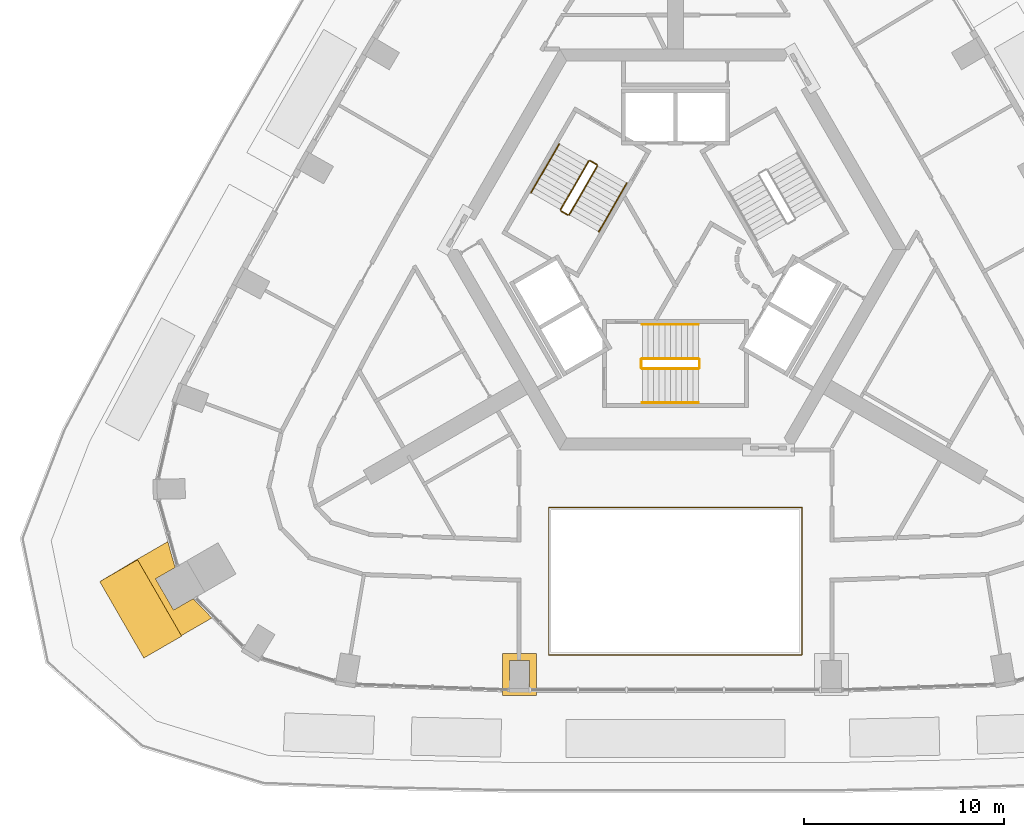
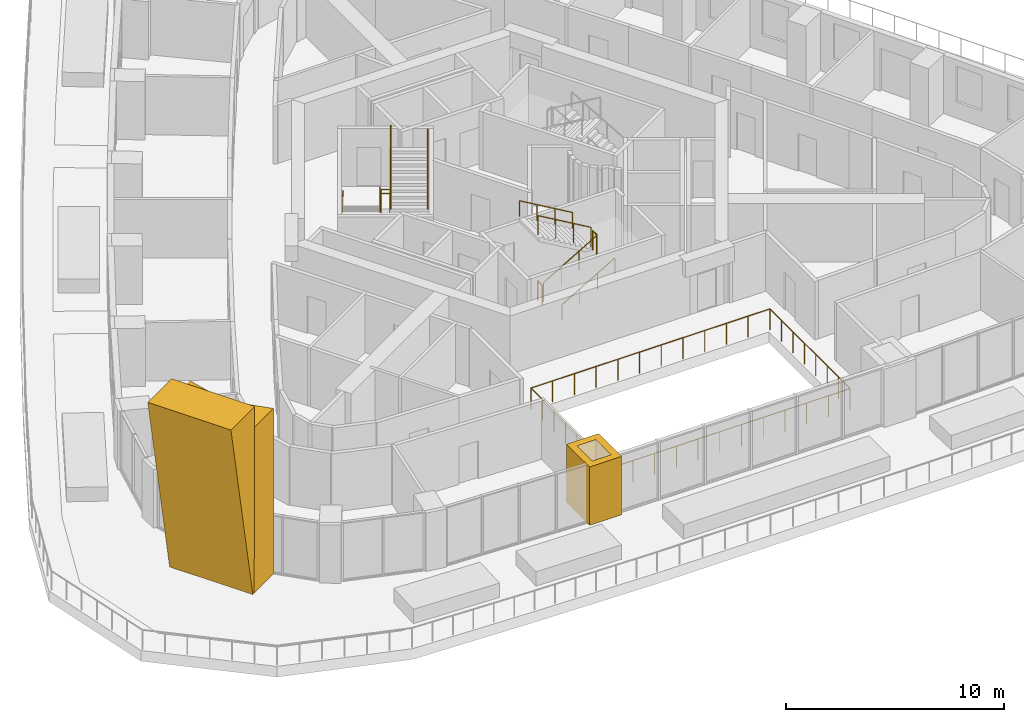
# One storey, part 11 of 14: 13 railings, 3 coverings.
"""IFC4 building model written with IfcOpenShell, lengths in metres."""

from ifc_helpers import new_model, si_unit, direction, frame, origin, origin_2d, place, context, subcontext, project, spatial, polyline, circle, outline, extrude, material, type_object, element, save


model = new_model("IFC4")

# Units and contexts
model_context = context("Model", 3, precision=1e-05, world=origin(), true_north=direction((0.0, 1.0)))
body_context = subcontext(model_context, "Body", "Model", "MODEL_VIEW")
ifc_project = project(units=[si_unit("LENGTHUNIT", "METRE"), si_unit("AREAUNIT", "SQUARE_METRE"), si_unit("VOLUMEUNIT", "CUBIC_METRE"), si_unit("PLANEANGLEUNIT", "RADIAN"), si_unit("MASSUNIT", "GRAM", prefix="KILO")], contexts=[model_context])

# Site, building, storey
site_placement = place(None, origin())
site = spatial("IfcSite", under=ifc_project, at=site_placement, CompositionType="ELEMENT")
building_placement = place(site_placement, origin())
building = spatial("IfcBuilding", under=site, at=building_placement, Name="Entoto Arch Interchange Tower", CompositionType="ELEMENT")
storey_placement = place(building_placement, frame((0.0, 0.0, 241.39990234375)))
storey = spatial("IfcBuildingStorey", under=building, at=storey_placement, Name="L54", CompositionType="ELEMENT", Elevation=241.39990234375)

# Railing
ifc_material_1 = material(Name="Stainless steel 1.4301", Category="steel")
railing_type_1 = type_object("IfcRailingType", Name="ATRIUM GUARD 1200 STEEL AND GLASS", PredefinedType="GUARDRAIL", material=ifc_material_1)
railing_1_placement = place(storey_placement, frame((6.320068359375, -17.72802734375, 0.0)))
element("IfcRailing", 1, at=railing_1_placement, inside=storey, type_object=railing_type_1, Name="Atrium guard L54", PredefinedType="GUARDRAIL", context=body_context, shape_type="SweptSolid", body=[
    extrude(circle(Radius=0.02392578125, at=origin_2d()), frame((0.0, 0.0, 1.17578125), z_axis=(-1.0, 0.0, 0.0), x_axis=(0.0, -1.0, 0.0)), (0.0, 0.0, 1.0), 12.64013671875),
    extrude(circle(Radius=0.02392578125, at=origin_2d()), frame((-12.64013671875, 0.0, 1.17578125), z_axis=(0.0, 1.0, 0.0), x_axis=(-1.0, 0.0, 0.0)), (0.0, 0.0, 1.0), 7.34814453125),
    extrude(circle(Radius=0.02392578125, at=origin_2d()), frame((-12.64013671875, 7.34814453125, 1.17578125), z_axis=(1.0, 0.0, 0.0), x_axis=(0.0, 1.0, 0.0)), (0.0, 0.0, 1.0), 12.64013671875),
    extrude(circle(Radius=0.02392578125, at=origin_2d()), frame((0.0, 7.34814453125, 1.17578125), z_axis=(0.0, -1.0, 0.0), x_axis=(1.0, 0.0, 0.0)), (0.0, 0.0, 1.0), 7.34814453125),
    extrude(circle(Radius=0.02099609375, at=origin_2d()), origin(), (0.0, 0.0, 1.0), 1.15185546875),
    extrude(circle(Radius=0.02099609375, at=origin_2d()), frame((-1.149169921875, 0.0, 0.0)), (0.0, 0.0, 1.0), 1.15185546875),
    extrude(circle(Radius=0.02099609375, at=origin_2d()), frame((-2.298095703125, 0.0, 0.0)), (0.0, 0.0, 1.0), 1.15185546875),
    extrude(circle(Radius=0.02099609375, at=origin_2d()), frame((-3.447265625, 0.0, 0.0)), (0.0, 0.0, 1.0), 1.15185546875),
    extrude(circle(Radius=0.02099609375, at=origin_2d()), frame((-4.596435546875, 0.0, 0.0)), (0.0, 0.0, 1.0), 1.15185546875),
    extrude(circle(Radius=0.02099609375, at=origin_2d()), frame((-5.74560546875, 0.0, 0.0)), (0.0, 0.0, 1.0), 1.15185546875),
    extrude(circle(Radius=0.02099609375, at=origin_2d()), frame((-6.89453125, 0.0, 0.0)), (0.0, 0.0, 1.0), 1.15185546875),
    extrude(circle(Radius=0.02099609375, at=origin_2d()), frame((-8.043701171875, 0.0, 0.0)), (0.0, 0.0, 1.0), 1.15185546875),
    extrude(circle(Radius=0.02099609375, at=origin_2d()), frame((-9.19287109375, 0.0, 0.0)), (0.0, 0.0, 1.0), 1.15185546875),
    extrude(circle(Radius=0.02099609375, at=origin_2d()), frame((-10.342041015625, 0.0, 0.0)), (0.0, 0.0, 1.0), 1.15185546875),
    extrude(circle(Radius=0.02099609375, at=origin_2d()), frame((-11.490966796875, 0.0, 0.0)), (0.0, 0.0, 1.0), 1.15185546875),
    extrude(circle(Radius=0.02099609375, at=origin_2d()), frame((-12.64013671875, 0.0, 0.0)), (0.0, 0.0, 1.0), 1.15185546875),
    extrude(circle(Radius=0.02099609375, at=origin_2d()), frame((-12.64013671875, 1.0498046875, 0.0)), (0.0, 0.0, 1.0), 1.15185546875),
    extrude(circle(Radius=0.02099609375, at=origin_2d()), frame((-12.64013671875, 2.099365234375, 0.0)), (0.0, 0.0, 1.0), 1.15185546875),
    extrude(circle(Radius=0.02099609375, at=origin_2d()), frame((-12.64013671875, 3.149169921875, 0.0)), (0.0, 0.0, 1.0), 1.15185546875),
    extrude(circle(Radius=0.02099609375, at=origin_2d()), frame((-12.64013671875, 4.198974609375, 0.0)), (0.0, 0.0, 1.0), 1.15185546875),
    extrude(circle(Radius=0.02099609375, at=origin_2d()), frame((-12.64013671875, 5.248779296875, 0.0)), (0.0, 0.0, 1.0), 1.15185546875),
    extrude(circle(Radius=0.02099609375, at=origin_2d()), frame((-12.64013671875, 6.29833984375, 0.0)), (0.0, 0.0, 1.0), 1.15185546875),
    extrude(circle(Radius=0.02099609375, at=origin_2d()), frame((-12.64013671875, 7.34814453125, 0.0)), (0.0, 0.0, 1.0), 1.15185546875),
    extrude(circle(Radius=0.02099609375, at=origin_2d()), frame((-11.490966796875, 7.34814453125, 0.0)), (0.0, 0.0, 1.0), 1.15185546875),
    extrude(circle(Radius=0.02099609375, at=origin_2d()), frame((-10.342041015625, 7.34814453125, 0.0)), (0.0, 0.0, 1.0), 1.15185546875),
    extrude(circle(Radius=0.02099609375, at=origin_2d()), frame((-9.19287109375, 7.34814453125, 0.0)), (0.0, 0.0, 1.0), 1.15185546875),
    extrude(circle(Radius=0.02099609375, at=origin_2d()), frame((-8.043701171875, 7.34814453125, 0.0)), (0.0, 0.0, 1.0), 1.15185546875),
    extrude(circle(Radius=0.02099609375, at=origin_2d()), frame((-6.89453125, 7.34814453125, 0.0)), (0.0, 0.0, 1.0), 1.15185546875),
    extrude(circle(Radius=0.02099609375, at=origin_2d()), frame((-5.74560546875, 7.34814453125, 0.0)), (0.0, 0.0, 1.0), 1.15185546875),
    extrude(circle(Radius=0.02099609375, at=origin_2d()), frame((-4.596435546875, 7.34814453125, 0.0)), (0.0, 0.0, 1.0), 1.15185546875),
    extrude(circle(Radius=0.02099609375, at=origin_2d()), frame((-3.447265625, 7.34814453125, 0.0)), (0.0, 0.0, 1.0), 1.15185546875),
    extrude(circle(Radius=0.02099609375, at=origin_2d()), frame((-2.298095703125, 7.34814453125, 0.0)), (0.0, 0.0, 1.0), 1.15185546875),
    extrude(circle(Radius=0.02099609375, at=origin_2d()), frame((-1.149169921875, 7.34814453125, 0.0)), (0.0, 0.0, 1.0), 1.15185546875),
    extrude(circle(Radius=0.02099609375, at=origin_2d()), frame((0.0, 7.34814453125, 0.0)), (0.0, 0.0, 1.0), 1.15185546875),
    extrude(circle(Radius=0.02099609375, at=origin_2d()), frame((0.0, 6.29833984375, 0.0)), (0.0, 0.0, 1.0), 1.15185546875),
    extrude(circle(Radius=0.02099609375, at=origin_2d()), frame((0.0, 5.248779296875, 0.0)), (0.0, 0.0, 1.0), 1.15185546875),
    extrude(circle(Radius=0.02099609375, at=origin_2d()), frame((0.0, 4.198974609375, 0.0)), (0.0, 0.0, 1.0), 1.15185546875),
    extrude(circle(Radius=0.02099609375, at=origin_2d()), frame((0.0, 3.149169921875, 0.0)), (0.0, 0.0, 1.0), 1.15185546875),
    extrude(circle(Radius=0.02099609375, at=origin_2d()), frame((0.0, 2.099365234375, 0.0)), (0.0, 0.0, 1.0), 1.15185546875),
    extrude(circle(Radius=0.02099609375, at=origin_2d()), frame((0.0, 1.0498046875, 0.0)), (0.0, 0.0, 1.0), 1.15185546875),
])

# Coverings
ifc_material_2 = material(Name="Board-marked precast concrete C50/60", Category="concrete")
covering_type = type_object("IfcCoveringType", Name="PRECAST FRAME COURSE", PredefinedType="CLADDING", material=ifc_material_2)
covering_1_placement = place(storey_placement, origin())
element("IfcCovering", 2, at=covering_1_placement, inside=storey, type_object=covering_type, Name="Corner pilaster SW L54-L56", PredefinedType="CLADDING", context=body_context, shape_type="SweptSolid", body=[
    extrude(outline(polyline([(-24.64599609375, -16.77001953125), (-26.845947265625, -12.9599609375), (-25.322021484375, -12.080078125), (-24.9580078125, -13.37109375), (-25.93603515625, -13.93603515625), (-25.035888671875, -15.493896484375), (-24.05810546875, -14.929931640625), (-23.1220703125, -15.889892578125), (-24.64599609375, -16.77001953125)])), origin(), (0.0, 0.0, 1.0), 9.260009765625),
])
covering_2_placement = place(storey_placement, frame((-26.845947265625, -12.9599609375, 0.0), z_axis=(-0.499864400986, 0.866098527187, 0.002986943602), x_axis=(-0.866102403124, -0.499866609441, -8.270342e-06)))
element("IfcCovering", 3, at=covering_2_placement, inside=storey, type_object=covering_type, Name="Corner rib SW L54-L56", PredefinedType="CLADDING", context=body_context, shape_type="SweptSolid", body=[
    extrude(outline(polyline([(0.0, 0.0), (0.11876536464920533, 0.0), (2.1783068228754745, 10.460269756314256), (0.0005611826797936319, 10.460250763298218), (0.0, 0.0)])), origin(), (0.0, 0.0, -1.0), 4.39990234375),
])
covering_3_placement = place(storey_placement, origin())
element("IfcCovering", 4, at=covering_3_placement, inside=storey, type_object=covering_type, Name="Gate pier L54", PredefinedType="CLADDING", context=body_context, shape_type="SweptSolid", body=[
    extrude(outline(polyline([(-8.634033203125, -17.657958984375), (-6.93408203125, -17.657958984375), (-6.93408203125, -19.758056640625), (-8.634033203125, -19.758056640625), (-8.634033203125, -17.657958984375)]), holes=[polyline([(-8.283935546875, -18.008056640625), (-8.283935546875, -19.407958984375), (-7.283935546875, -19.407958984375), (-7.283935546875, -18.008056640625), (-8.283935546875, -18.008056640625)])]), origin(), (0.0, 0.0, 1.0), 3.260009765625),
])

# Railings
railing_type_2 = type_object("IfcRailingType", Name="STAIR GUARD 1100 STEEL", PredefinedType="GUARDRAIL", material=ifc_material_1)
railing_2_placement = place(storey_placement, frame((-1.64990234375, -3.449951171875, 0.163818359375)))
element("IfcRailing", 5, at=railing_2_placement, inside=storey, type_object=railing_type_2, Name="L54 ST-S stair guard 1", PredefinedType="GUARDRAIL", context=body_context, shape_type="SweptSolid", body=[
    extrude(circle(Radius=0.02392578125, at=origin_2d()), frame((0.0, 0.0, 1.076171875), z_axis=(0.863374499697, 0.0, 0.504563646405), x_axis=(0.0, 1.0, 0.0)), (0.0, 0.0, 1.0), 3.242919921875),
    extrude(circle(Radius=0.02099609375, at=origin_2d()), origin(), (0.0, 0.0, 1.0), 1.052001953125),
    extrude(circle(Radius=0.02099609375, at=origin_2d()), frame((0.933349609375, 0.0, 0.54541015625)), (0.0, 0.0, 1.0), 1.052001953125),
    extrude(circle(Radius=0.02099609375, at=origin_2d()), frame((1.866455078125, 0.0, 1.0908203125)), (0.0, 0.0, 1.0), 1.052001953125),
    extrude(circle(Radius=0.02099609375, at=origin_2d()), frame((2.7998046875, 0.0, 1.63623046875)), (0.0, 0.0, 1.0), 1.052001953125),
])
railing_3_placement = place(storey_placement, frame((1.199951171875, -3.39990234375, 1.800048828125)))
element("IfcRailing", 6, at=railing_3_placement, inside=storey, type_object=railing_type_2, Name="L54 ST-S stair guard 2", PredefinedType="GUARDRAIL", context=body_context, shape_type="SweptSolid", body=[
    extrude(circle(Radius=0.02392578125, at=origin_2d()), frame((0.0, 0.0, 1.076171875), z_axis=(0.0, 1.0, 0.0), x_axis=(-1.0, 0.0, 0.0)), (0.0, 0.0, 1.0), 0.39990234375),
    extrude(circle(Radius=0.02099609375, at=origin_2d()), origin(), (0.0, 0.0, 1.0), 1.052001953125),
    extrude(circle(Radius=0.02099609375, at=origin_2d()), frame((0.0, 0.39990234375, 0.0)), (0.0, 0.0, 1.0), 1.052001953125),
])
railing_4_placement = place(storey_placement, frame((1.14990234375, -2.949951171875, 1.963623046875)))
element("IfcRailing", 7, at=railing_4_placement, inside=storey, type_object=railing_type_2, Name="L54 ST-S stair guard 3", PredefinedType="GUARDRAIL", context=body_context, shape_type="SweptSolid", body=[
    extrude(circle(Radius=0.02392578125, at=origin_2d()), frame((0.0, 0.0, 1.076171875), z_axis=(-0.863341702679, 0.0, 0.504619762213), x_axis=(0.0, -1.0, 0.0)), (0.0, 0.0, 1.0), 3.242919921875),
    extrude(circle(Radius=0.02099609375, at=origin_2d()), origin(), (0.0, 0.0, 1.0), 1.052001953125),
    extrude(circle(Radius=0.02099609375, at=origin_2d()), frame((-0.933349609375, 0.0, 0.54541015625)), (0.0, 0.0, 1.0), 1.052001953125),
    extrude(circle(Radius=0.02099609375, at=origin_2d()), frame((-1.866455078125, 0.0, 1.091064453125)), (0.0, 0.0, 1.0), 1.052001953125),
    extrude(circle(Radius=0.02099609375, at=origin_2d()), frame((-2.7998046875, 0.0, 1.636474609375)), (0.0, 0.0, 1.0), 1.052001953125),
])
railing_5_placement = place(storey_placement, frame((-1.699951171875, -3.39990234375, 0.0)))
element("IfcRailing", 8, at=railing_5_placement, inside=storey, type_object=railing_type_2, Name="L54 ST-S stair guard 4", PredefinedType="GUARDRAIL", context=body_context, shape_type="SweptSolid", body=[
    extrude(circle(Radius=0.02392578125, at=origin_2d()), frame((0.0, 0.0, 1.076171875), z_axis=(0.0, 1.0, 0.0), x_axis=(-1.0, 0.0, 0.0)), (0.0, 0.0, 1.0), 0.39990234375),
    extrude(circle(Radius=0.02099609375, at=origin_2d()), origin(), (0.0, 0.0, 1.0), 1.052001953125),
    extrude(circle(Radius=0.02099609375, at=origin_2d()), frame((0.0, 0.39990234375, 0.0)), (0.0, 0.0, 1.0), 1.052001953125),
])
railing_6_placement = place(storey_placement, frame((-4.327880859375, 6.904052734375, 0.163818359375)))
element("IfcRailing", 9, at=railing_6_placement, inside=storey, type_object=railing_type_2, Name="L54 ST-NW stair guard 1", PredefinedType="GUARDRAIL", context=body_context, shape_type="SweptSolid", body=[
    extrude(circle(Radius=0.02392578125, at=origin_2d()), frame((0.0, 0.0, 1.076171875), z_axis=(-0.43165272891, -0.747751404999, 0.504523297725), x_axis=(0.866056369097, -0.49994636267, 0.0)), (0.0, 0.0, 1.0), 3.2431640625),
    extrude(circle(Radius=0.02099609375, at=origin_2d()), origin(), (0.0, 0.0, 1.0), 1.052001953125),
    extrude(circle(Radius=0.02099609375, at=origin_2d()), frame((-0.466552734375, -0.808349609375, 0.54541015625)), (0.0, 0.0, 1.0), 1.052001953125),
    extrude(circle(Radius=0.02099609375, at=origin_2d()), frame((-0.933349609375, -1.61669921875, 1.0908203125)), (0.0, 0.0, 1.0), 1.052001953125),
    extrude(circle(Radius=0.02099609375, at=origin_2d()), frame((-1.39990234375, -2.425048828125, 1.63623046875)), (0.0, 0.0, 1.0), 1.052001953125),
])
railing_7_placement = place(storey_placement, frame((-5.70947265625, 4.410888671875, 1.800048828125)))
element("IfcRailing", 10, at=railing_7_placement, inside=storey, type_object=railing_type_2, Name="L54 ST-NW stair guard 2", PredefinedType="GUARDRAIL", context=body_context, shape_type="SweptSolid", body=[
    extrude(circle(Radius=0.02392578125, at=origin_2d()), frame((0.0, 0.0, 1.076171875), z_axis=(0.865829829939, -0.500338590944, 0.0), x_axis=(0.500338590944, 0.865829829939, 0.0)), (0.0, 0.0, 1.0), 0.400146484375),
    extrude(circle(Radius=0.02099609375, at=origin_2d()), origin(), (0.0, 0.0, 1.0), 1.052001953125),
    extrude(circle(Radius=0.02099609375, at=origin_2d()), frame((0.346435546875, -0.2001953125, 0.0)), (0.0, 0.0, 1.0), 1.052001953125),
])
railing_8_placement = place(storey_placement, frame((-5.294921875, 4.22900390625, 1.963623046875)))
element("IfcRailing", 11, at=railing_8_placement, inside=storey, type_object=railing_type_2, Name="L54 ST-NW stair guard 3", PredefinedType="GUARDRAIL", context=body_context, shape_type="SweptSolid", body=[
    extrude(circle(Radius=0.02392578125, at=origin_2d()), frame((0.0, 0.0, 1.076171875), z_axis=(0.431697583215, 0.747698708645, 0.504563016616), x_axis=(-0.866018616679, 0.500011755427, 0.0)), (0.0, 0.0, 1.0), 3.243408203125),
    extrude(circle(Radius=0.02099609375, at=origin_2d()), origin(), (0.0, 0.0, 1.0), 1.052001953125),
    extrude(circle(Radius=0.02099609375, at=origin_2d()), frame((0.466796875, 0.808349609375, 0.54541015625)), (0.0, 0.0, 1.0), 1.052001953125),
    extrude(circle(Radius=0.02099609375, at=origin_2d()), frame((0.933349609375, 1.61669921875, 1.091064453125)), (0.0, 0.0, 1.0), 1.052001953125),
    extrude(circle(Radius=0.02099609375, at=origin_2d()), frame((1.400146484375, 2.425048828125, 1.636474609375)), (0.0, 0.0, 1.0), 1.052001953125),
])
railing_9_placement = place(storey_placement, frame((-4.259521484375, 6.92236328125, 0.0)))
element("IfcRailing", 12, at=railing_9_placement, inside=storey, type_object=railing_type_2, Name="L54 ST-NW stair guard 4", PredefinedType="GUARDRAIL", context=body_context, shape_type="SweptSolid", body=[
    extrude(circle(Radius=0.02392578125, at=origin_2d()), frame((0.0, 0.0, 1.076171875), z_axis=(0.865829829939, -0.500338590944, 0.0), x_axis=(0.500338590944, 0.865829829939, 0.0)), (0.0, 0.0, 1.0), 0.400146484375),
    extrude(circle(Radius=0.02099609375, at=origin_2d()), origin(), (0.0, 0.0, 1.0), 1.052001953125),
    extrude(circle(Radius=0.02099609375, at=origin_2d()), frame((0.346435546875, -0.2001953125, 0.0)), (0.0, 0.0, 1.0), 1.052001953125),
])
railing_type_3 = type_object("IfcRailingType", Name="STAIR HANDRAIL 900 STEEL", PredefinedType="HANDRAIL", material=ifc_material_1)
railing_10_placement = place(storey_placement, frame((-1.64990234375, -5.14990234375, 0.163818359375)))
element("IfcRailing", 13, at=railing_10_placement, inside=storey, type_object=railing_type_3, Name="L54 ST-S stair handrail 1", PredefinedType="HANDRAIL", context=body_context, shape_type="SweptSolid", body=[
    extrude(circle(Radius=0.02392578125, at=origin_2d()), frame((0.0, 0.0, 0.8759765625), z_axis=(0.863374499697, 0.0, 0.504563646405), x_axis=(0.0, 1.0, 0.0)), (0.0, 0.0, 1.0), 3.242919921875),
    extrude(circle(Radius=0.02099609375, at=origin_2d()), origin(), (0.0, 0.0, 1.0), 0.851806640625),
    extrude(circle(Radius=0.02099609375, at=origin_2d()), frame((0.933349609375, 0.0, 0.54541015625)), (0.0, 0.0, 1.0), 0.851806640625),
    extrude(circle(Radius=0.02099609375, at=origin_2d()), frame((1.866455078125, 0.0, 1.0908203125)), (0.0, 0.0, 1.0), 0.851806640625),
    extrude(circle(Radius=0.02099609375, at=origin_2d()), frame((2.7998046875, 0.0, 1.63623046875)), (0.0, 0.0, 1.0), 0.851806640625),
])
railing_11_placement = place(storey_placement, frame((1.14990234375, -1.25, 1.963623046875)))
element("IfcRailing", 14, at=railing_11_placement, inside=storey, type_object=railing_type_3, Name="L54 ST-S stair handrail 2", PredefinedType="HANDRAIL", context=body_context, shape_type="SweptSolid", body=[
    extrude(circle(Radius=0.02392578125, at=origin_2d()), frame((0.0, 0.0, 0.8759765625), z_axis=(-0.863341702679, 0.0, 0.504619762213), x_axis=(0.0, -1.0, 0.0)), (0.0, 0.0, 1.0), 3.242919921875),
    extrude(circle(Radius=0.02099609375, at=origin_2d()), origin(), (0.0, 0.0, 1.0), 0.851806640625),
    extrude(circle(Radius=0.02099609375, at=origin_2d()), frame((-0.933349609375, 0.0, 0.54541015625)), (0.0, 0.0, 1.0), 0.851806640625),
    extrude(circle(Radius=0.02099609375, at=origin_2d()), frame((-1.866455078125, 0.0, 1.091064453125)), (0.0, 0.0, 1.0), 0.851806640625),
    extrude(circle(Radius=0.02099609375, at=origin_2d()), frame((-2.7998046875, 0.0, 1.636474609375)), (0.0, 0.0, 1.0), 0.851806640625),
])
railing_12_placement = place(storey_placement, frame((-5.800048828125, 7.75390625, 0.163818359375)))
element("IfcRailing", 15, at=railing_12_placement, inside=storey, type_object=railing_type_3, Name="L54 ST-NW stair handrail 1", PredefinedType="HANDRAIL", context=body_context, shape_type="SweptSolid", body=[
    extrude(circle(Radius=0.02392578125, at=origin_2d()), frame((0.0, 0.0, 0.8759765625), z_axis=(-0.431738279637, -0.747693913401, 0.504535300807), x_axis=(0.865996816683, -0.500049511043, 0.0)), (0.0, 0.0, 1.0), 3.2431640625),
    extrude(circle(Radius=0.02099609375, at=origin_2d()), origin(), (0.0, 0.0, 1.0), 0.851806640625),
    extrude(circle(Radius=0.02099609375, at=origin_2d()), frame((-0.466796875, -0.808349609375, 0.54541015625)), (0.0, 0.0, 1.0), 0.851806640625),
    extrude(circle(Radius=0.02099609375, at=origin_2d()), frame((-0.933349609375, -1.616455078125, 1.0908203125)), (0.0, 0.0, 1.0), 0.851806640625),
    extrude(circle(Radius=0.02099609375, at=origin_2d()), frame((-1.400146484375, -2.4248046875, 1.63623046875)), (0.0, 0.0, 1.0), 0.851806640625),
])
railing_13_placement = place(storey_placement, frame((-3.822509765625, 3.379150390625, 1.963623046875)))
element("IfcRailing", 16, at=railing_13_placement, inside=storey, type_object=railing_type_3, Name="L54 ST-NW stair handrail 2", PredefinedType="HANDRAIL", context=body_context, shape_type="SweptSolid", body=[
    extrude(circle(Radius=0.02392578125, at=origin_2d()), frame((0.0, 0.0, 0.8759765625), z_axis=(0.431660630283, 0.747689811644, 0.504607813879), x_axis=(-0.866034573852, 0.49998411664, 0.0)), (0.0, 0.0, 1.0), 3.2431640625),
    extrude(circle(Radius=0.02099609375, at=origin_2d()), origin(), (0.0, 0.0, 1.0), 0.851806640625),
    extrude(circle(Radius=0.02099609375, at=origin_2d()), frame((0.466552734375, 0.808349609375, 0.54541015625)), (0.0, 0.0, 1.0), 0.851806640625),
    extrude(circle(Radius=0.02099609375, at=origin_2d()), frame((0.933349609375, 1.616455078125, 1.091064453125)), (0.0, 0.0, 1.0), 0.851806640625),
    extrude(circle(Radius=0.02099609375, at=origin_2d()), frame((1.39990234375, 2.4248046875, 1.636474609375)), (0.0, 0.0, 1.0), 0.851806640625),
])

save(model, "model.ifc")
